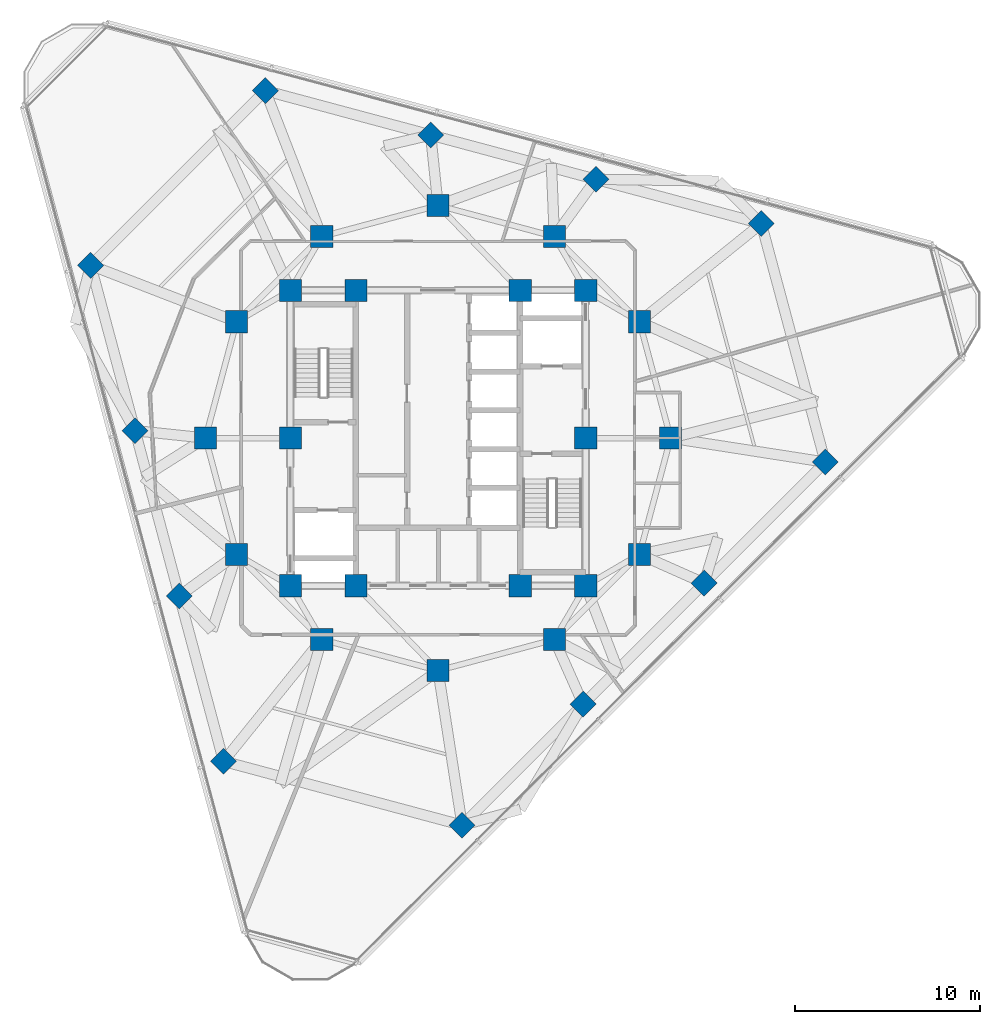
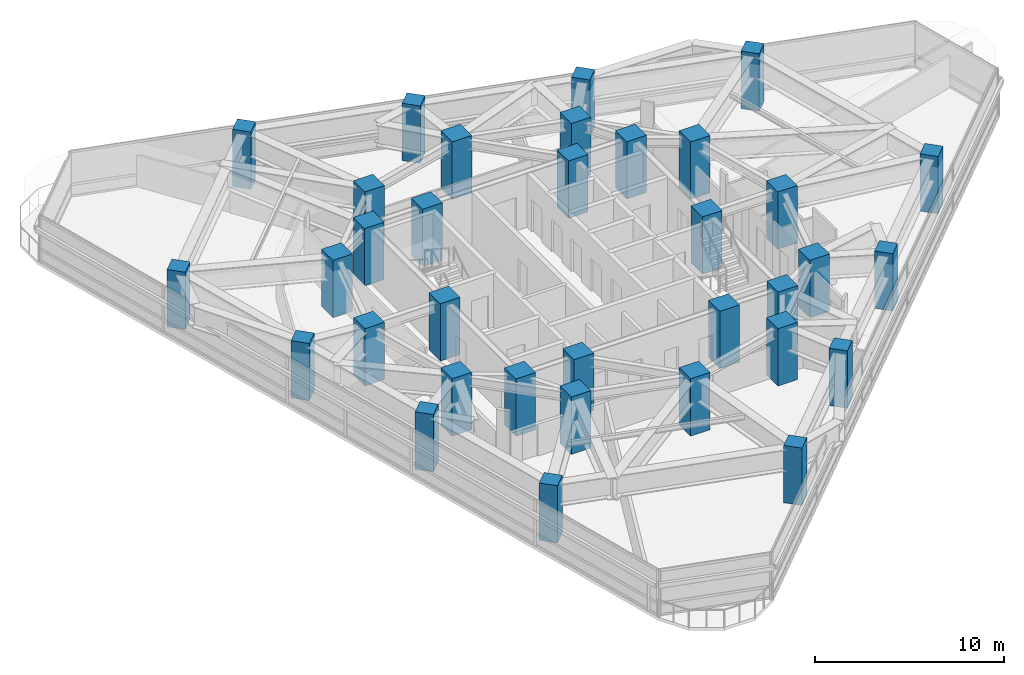
# One storey, part 1 of 15: 34 columns.
"""IFC4 building model written with IfcOpenShell, lengths in metres."""

from ifc_helpers import new_model, si_unit, direction, frame, origin, origin_2d, place, context, subcontext, project, spatial, rectangle, extrude, material, material_profile, profile_set, type_object, element, save


model = new_model("IFC4")

# Units and contexts
model_context = context("Model", 3, precision=1e-05, world=origin(), true_north=direction((0.0, 1.0)))
body_context = subcontext(model_context, "Body", "Model", "MODEL_VIEW")
ifc_project = project(units=[si_unit("LENGTHUNIT", "METRE"), si_unit("AREAUNIT", "SQUARE_METRE"), si_unit("VOLUMEUNIT", "CUBIC_METRE"), si_unit("PLANEANGLEUNIT", "RADIAN"), si_unit("MASSUNIT", "GRAM", prefix="KILO")], contexts=[model_context])

# Site, building, storey
site_placement = place(None, origin())
site = spatial("IfcSite", under=ifc_project, at=site_placement, CompositionType="ELEMENT")
building_placement = place(site_placement, origin())
building = spatial("IfcBuilding", under=site, at=building_placement, Name="Terralouvre Media Tower", CompositionType="ELEMENT")
storey_placement = place(building_placement, frame((0.0, 0.0, 210.10009765625)))
storey = spatial("IfcBuildingStorey", under=building, at=storey_placement, Name="L54", CompositionType="ELEMENT", Elevation=210.10009765625)

# Columns
ifc_material_1 = material(Name="Concrete C50/60", Category="concrete")
ifc_material_profile_1 = material_profile(ifc_material_1, rectangle(XDim=1.0, YDim=1.0, at=origin_2d()), Name="RC 1000x1000")
ifc_profile_set_1 = profile_set([ifc_material_profile_1], Name="Concrete C50/60")
column_type_1 = type_object("IfcColumnType", Name="Structural Column C-RC1000 (RC 1000x1000)", PredefinedType="COLUMN", material=ifc_profile_set_1)
for number, where, z_axis, x_axis, name in (
    (1, (1.3046875, -20.973388671875, 0.0), (0.0, 0.0, 1.0), (0.707106781187, 0.707106781187, 0.0), "L54 Perimeter Mega-Column PC11"),
    (2, (7.86083984375, -14.417236328125, 0.0), (0.0, 0.0, 1.0), (0.707106781187, 0.707106781187, 0.0), "L54 Perimeter Mega-Column PC12"),
    (3, (14.417236328125, -7.86083984375, 0.0), (0.0, 0.0, 1.0), (0.707106781187, 0.707106781187, 0.0), "L54 Perimeter Mega-Column PC13"),
    (4, (20.973388671875, -1.3046875, 0.0), (0.0, 0.0, 1.0), (0.707106781187, 0.707106781187, 0.0), "L54 Perimeter Mega-Column PC14"),
    (5, (17.51123046875, 11.616455078125, 0.0), (0.0, 0.0, 1.0), (0.707106781187, 0.707106781187, 0.0), "L54 Perimeter Mega-Column PC21"),
    (6, (8.55517578125, 14.016357421875, 0.0), (0.0, 0.0, 1.0), (0.707106781187, 0.707106781187, 0.0), "L54 Perimeter Mega-Column PC22"),
    (7, (-0.40087890625, 16.416015625, 0.0), (0.0, 0.0, 1.0), (0.707106781187, 0.707106781187, 0.0), "L54 Perimeter Mega-Column PC23"),
    (8, (-9.35693359375, 18.81591796875, 0.0), (0.0, 0.0, 1.0), (0.707106781187, 0.707106781187, 0.0), "L54 Perimeter Mega-Column PC24"),
    (9, (-18.81591796875, 9.35693359375, 0.0), (0.0, 0.0, 1.0), (0.707106781187, 0.707106781187, 0.0), "L54 Perimeter Mega-Column PC31"),
    (10, (-16.416015625, 0.40087890625, 0.0), (0.0, 0.0, 1.0), (0.707106781187, 0.707106781187, 0.0), "L54 Perimeter Mega-Column PC32"),
    (11, (-14.016357421875, -8.55517578125, 0.0), (0.0, 0.0, 1.0), (0.707106781187, 0.707106781187, 0.0), "L54 Perimeter Mega-Column PC33"),
    (12, (-11.616455078125, -17.51123046875, 0.0), (0.0, 0.0, 1.0), (0.707106781187, 0.707106781187, 0.0), "L54 Perimeter Mega-Column PC34"),
):
    element("IfcColumn", number, at=place(storey_placement, frame(where, z_axis=z_axis, x_axis=x_axis)), inside=storey, type_object=column_type_1, Name=name, PredefinedType="COLUMN", context=body_context, shape_type="SweptSolid", body=[
        extrude(rectangle(XDim=1.0, YDim=1.0, at=origin_2d()), origin(), (0.0, 0.0, 1.0), 3.699951171875),
    ])
ifc_material_2 = material(Name="Concrete C60/75", Category="concrete")
ifc_material_profile_2 = material_profile(ifc_material_2, rectangle(XDim=1.199951171875, YDim=1.199951171875, at=origin_2d()), Name="RC 1200x1200")
ifc_profile_set_2 = profile_set([ifc_material_profile_2], Name="Concrete C60/75")
column_type_2 = type_object("IfcColumnType", Name="Structural Column C-RC1200 (RC 1200x1200)", PredefinedType="COLUMN", material=ifc_profile_set_2)
for number, where, z_axis, x_axis, name in (
    (13, (-8.0, -8.0, 0.0), (0.0, 0.0, 1.0), (1.0, 0.0, 0.0), "L54 Core Pilaster Column CP1"),
    (14, (-4.449951171875, -8.0, 0.0), (0.0, 0.0, 1.0), (1.0, 0.0, 0.0), "L54 Core Pilaster Column CP2"),
    (15, (4.449951171875, -8.0, 0.0), (0.0, 0.0, 1.0), (1.0, 0.0, 0.0), "L54 Core Pilaster Column CP10"),
    (16, (8.0, -8.0, 0.0), (0.0, 0.0, 1.0), (1.0, 0.0, 0.0), "L54 Core Pilaster Column CP3"),
    (17, (8.0, 0.0, 0.0), (0.0, 0.0, 1.0), (1.0, 0.0, 0.0), "L54 Core Pilaster Column CP4"),
    (18, (8.0, 8.0, 0.0), (0.0, 0.0, 1.0), (1.0, 0.0, 0.0), "L54 Core Pilaster Column CP5"),
    (19, (4.449951171875, 8.0, 0.0), (0.0, 0.0, 1.0), (1.0, 0.0, 0.0), "L54 Core Pilaster Column CP9"),
    (20, (-4.449951171875, 8.0, 0.0), (0.0, 0.0, 1.0), (1.0, 0.0, 0.0), "L54 Core Pilaster Column CP6"),
    (21, (-8.0, 8.0, 0.0), (0.0, 0.0, 1.0), (1.0, 0.0, 0.0), "L54 Core Pilaster Column CP7"),
    (22, (-8.0, 0.0, 0.0), (0.0, 0.0, 1.0), (1.0, 0.0, 0.0), "L54 Core Pilaster Column CP8"),
    (23, (12.60009765625, 0.0, 0.0), (0.0, 0.0, 1.0), (1.0, 0.0, 0.0), "L54 Mega-Frame Column MC01"),
    (24, (10.911865234375, 6.300048828125, 0.0), (0.0, 0.0, 1.0), (1.0, 0.0, 0.0), "L54 Mega-Frame Column MC02"),
    (25, (6.300048828125, 10.911865234375, 0.0), (0.0, 0.0, 1.0), (1.0, 0.0, 0.0), "L54 Mega-Frame Column MC03"),
    (26, (0.0, 12.60009765625, 0.0), (0.0, 0.0, 1.0), (1.0, 0.0, 0.0), "L54 Mega-Frame Column MC04"),
    (27, (-6.300048828125, 10.911865234375, 0.0), (0.0, 0.0, 1.0), (1.0, 0.0, 0.0), "L54 Mega-Frame Column MC05"),
    (28, (-10.911865234375, 6.300048828125, 0.0), (0.0, 0.0, 1.0), (1.0, 0.0, 0.0), "L54 Mega-Frame Column MC06"),
    (29, (-12.60009765625, 0.0, 0.0), (0.0, 0.0, 1.0), (1.0, 0.0, 0.0), "L54 Mega-Frame Column MC07"),
    (30, (-10.911865234375, -6.300048828125, 0.0), (0.0, 0.0, 1.0), (1.0, 0.0, 0.0), "L54 Mega-Frame Column MC08"),
    (31, (-6.300048828125, -10.911865234375, 0.0), (0.0, 0.0, 1.0), (1.0, 0.0, 0.0), "L54 Mega-Frame Column MC09"),
    (32, (0.0, -12.60009765625, 0.0), (0.0, 0.0, 1.0), (1.0, 0.0, 0.0), "L54 Mega-Frame Column MC10"),
    (33, (6.300048828125, -10.911865234375, 0.0), (0.0, 0.0, 1.0), (1.0, 0.0, 0.0), "L54 Mega-Frame Column MC11"),
    (34, (10.911865234375, -6.300048828125, 0.0), (0.0, 0.0, 1.0), (1.0, 0.0, 0.0), "L54 Mega-Frame Column MC12"),
):
    element("IfcColumn", number, at=place(storey_placement, frame(where, z_axis=z_axis, x_axis=x_axis)), inside=storey, type_object=column_type_2, Name=name, PredefinedType="COLUMN", context=body_context, shape_type="SweptSolid", body=[
        extrude(rectangle(XDim=1.199951171875, YDim=1.199951171875, at=origin_2d()), origin(), (0.0, 0.0, 1.0), 3.699951171875),
    ])

save(model, "model.ifc")
